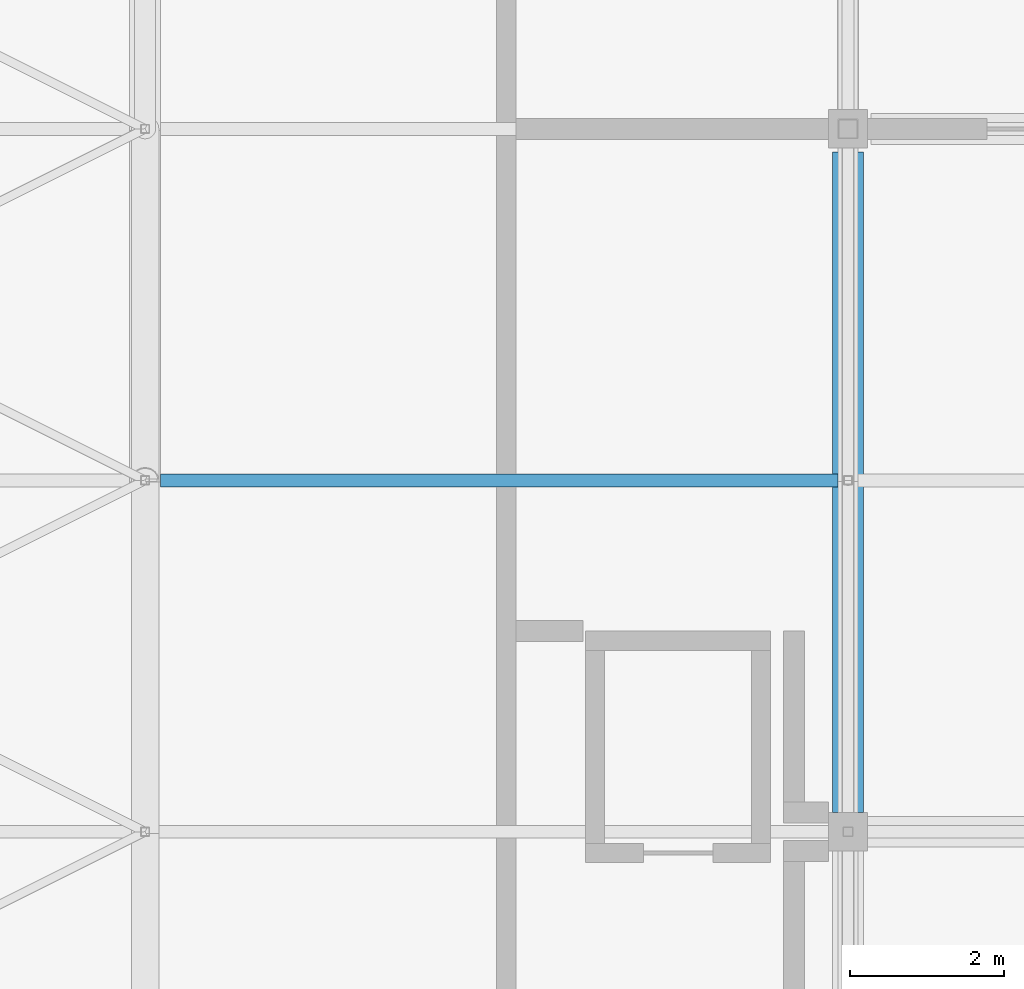
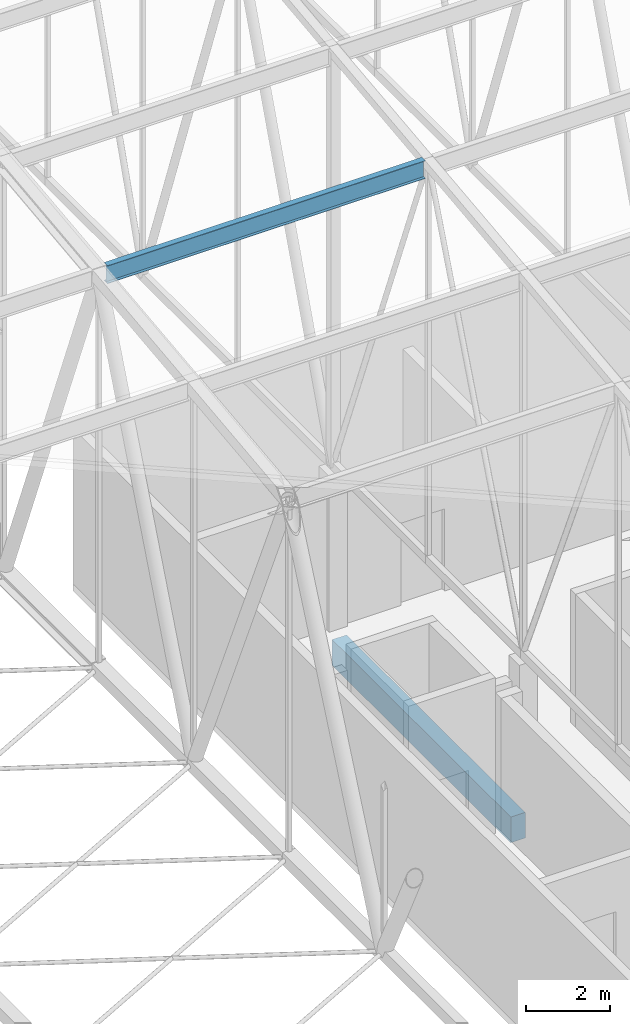
# One storey, part 152 of 500: 1 beam, 1 member.
"""IFC4 building model written with IfcOpenShell, lengths in metres."""

from ifc_helpers import new_model, si_unit, direction, frame, origin, origin_2d, place, context, subcontext, project, spatial, rectangle, i_section, extrude, material, material_profile, profile_set, type_object, element, save


model = new_model("IFC4")

# Units and contexts
model_context = context("Model", 3, precision=1e-05, world=origin(), true_north=direction((0.0, 1.0)))
body_context = subcontext(model_context, "Body", "Model", "MODEL_VIEW")
ifc_project = project(units=[si_unit("LENGTHUNIT", "METRE"), si_unit("AREAUNIT", "SQUARE_METRE"), si_unit("VOLUMEUNIT", "CUBIC_METRE"), si_unit("PLANEANGLEUNIT", "RADIAN"), si_unit("MASSUNIT", "GRAM", prefix="KILO")], contexts=[model_context])

# Site, building, storey
site_placement = place(None, origin())
site = spatial("IfcSite", under=ifc_project, at=site_placement, CompositionType="ELEMENT")
building_placement = place(site_placement, origin())
building = spatial("IfcBuilding", under=site, at=building_placement, Name="Shirokan Park Arena", CompositionType="ELEMENT")
storey_placement = place(building_placement, frame((0.0, 0.0, 29.1201171875)))
storey = spatial("IfcBuildingStorey", under=building, at=storey_placement, Name="L06", CompositionType="ELEMENT", Elevation=29.1201171875)

# Member
ifc_material_1 = material(Name="Steel ASTM A992", Category="steel")
ifc_material_profile_1 = material_profile(ifc_material_1, i_section(OverallWidth=0.166015625, OverallDepth=0.528076171875, WebThickness=0.009765625, FlangeThickness=0.013671875, at=origin_2d()), Name="W530X74")
ifc_profile_set_1 = profile_set([ifc_material_profile_1], Name="Steel ASTM A992")
member_type = type_object("IfcMemberType", Name="Purlin W530X74", PredefinedType="PURLIN", material=ifc_profile_set_1)
member_placement = place(storey_placement, frame((100.300537109375, 31.85009765625, 16.1259765625), z_axis=(1.0, 0.0, 0.0), x_axis=(0.0, 1.0, 0.0)))
element("IfcMember", 1, at=member_placement, inside=storey, type_object=member_type, Name="Purlin 10 bay 12", PredefinedType="PURLIN", context=body_context, shape_type="SweptSolid", body=[
    extrude(i_section(OverallWidth=0.166015625, OverallDepth=0.528076171875, WebThickness=0.009765625, FlangeThickness=0.013671875, at=origin_2d()), origin(), (0.0, 0.0, 1.0), 8.7724609375),
])

# Beam
ifc_material_2 = material(Name="Concrete C35", Category="concrete")
ifc_material_profile_2 = material_profile(ifc_material_2, rectangle(XDim=0.39990234375, YDim=0.75, at=origin_2d()), Name="400x750")
ifc_profile_set_2 = profile_set([ifc_material_profile_2], Name="Concrete C35")
beam_type = type_object("IfcBeamType", Name="RC girder 400x750", PredefinedType="BEAM", material=ifc_profile_set_2)
beam_placement = place(storey_placement, frame((109.199951171875, 27.550048828125, -0.5751953125), z_axis=(0.0, 1.0, 0.0), x_axis=(-1.0, 0.0, 0.0)))
element("IfcBeam", 2, at=beam_placement, inside=storey, type_object=beam_type, Name="Girder 13D-13E L06", PredefinedType="BEAM", context=body_context, shape_type="SweptSolid", body=[
    extrude(rectangle(XDim=0.39990234375, YDim=0.75, at=origin_2d()), origin(), (0.0, 0.0, 1.0), 8.5498046875),
])

save(model, "model.ifc")
